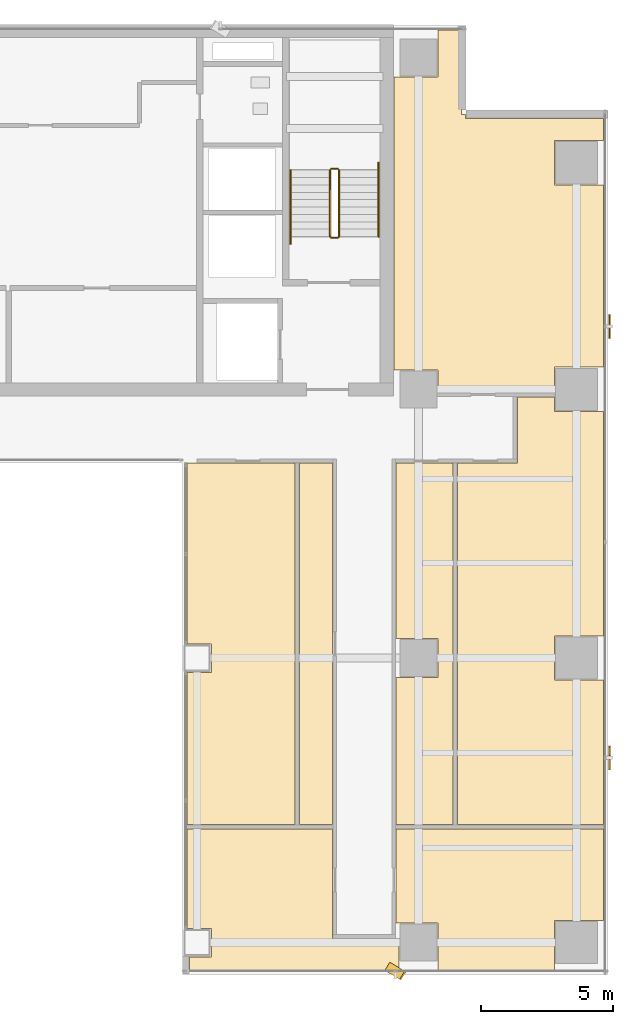
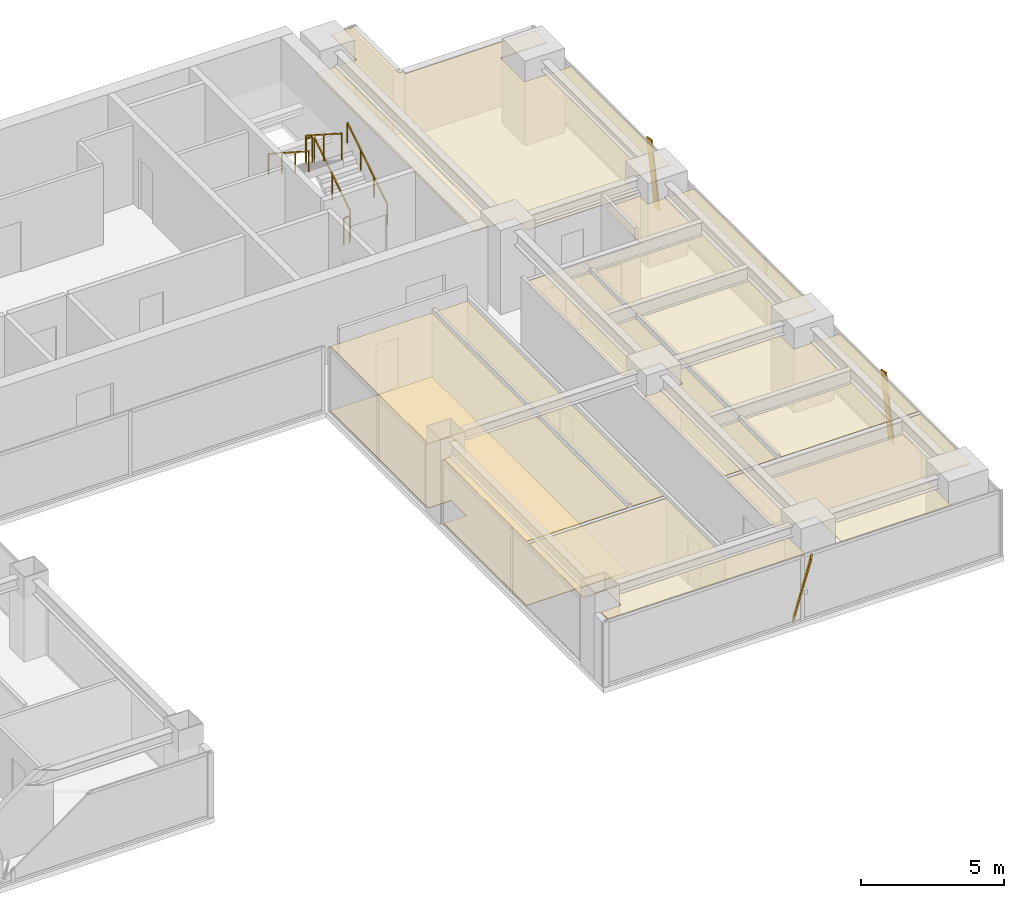
# One storey, part 28 of 30: 8 coverings, 6 railings, 3 shading devices.
"""IFC4 building model written with IfcOpenShell, lengths in metres."""

from ifc_helpers import new_model, si_unit, direction, frame, origin, origin_2d, place, context, subcontext, project, spatial, polyline, rectangle, outline, extrude, source, transform, mapped, material, layer, layer_set, material_profile, profile_set, type_object, element, save


model = new_model("IFC4")

# Units and contexts
model_context = context("Model", 3, precision=1e-05, world=origin(), true_north=direction((0.0, 1.0)))
body_context = subcontext(model_context, "Body", "Model", "MODEL_VIEW")
ifc_project = project(units=[si_unit("LENGTHUNIT", "METRE"), si_unit("AREAUNIT", "SQUARE_METRE"), si_unit("VOLUMEUNIT", "CUBIC_METRE"), si_unit("PLANEANGLEUNIT", "RADIAN"), si_unit("MASSUNIT", "GRAM", prefix="KILO")], contexts=[model_context])

# Site, building, storey
site_placement = place(None, origin())
site = spatial("IfcSite", under=ifc_project, at=site_placement, CompositionType="ELEMENT")
building_placement = place(site_placement, origin())
building = spatial("IfcBuilding", under=site, at=building_placement, Name="Sumidabori Civic Tower", CompositionType="ELEMENT")
storey_placement = place(building_placement, frame((0.0, 0.0, 200.0)))
storey = spatial("IfcBuildingStorey", under=building, at=storey_placement, Name="L51", CompositionType="ELEMENT", Elevation=200.0)

# Coverings
ifc_material_1 = material(Name="Acoustic Mineral Gypsum Ceiling Tile")
ifc_layer_1 = layer(ifc_material_1, 0.034912109375, Name="Acoustic Mineral Gypsum Ceiling Tile")
ifc_layer_set_1 = layer_set([ifc_layer_1], Name="Acoustic Mineral Gypsum Ceiling Tile")
covering_type_1 = type_object("IfcCoveringType", Name="CV-CEIL-AC1", PredefinedType="CEILING", material=ifc_layer_set_1)
covering_1_placement = place(storey_placement, frame((0.0, 0.0, 2.72998046875)))
element("IfcCovering", 1, at=covering_1_placement, inside=storey, type_object=covering_type_1, Name="Room Acoustic Ceiling L51-02", PredefinedType="CEILING", context=body_context, shape_type="SweptSolid", body=[
    extrude(outline(polyline([(20.554931640625, 10.10498046875), (17.5400390625, 10.10498046875), (17.5400390625, 10.93994140625), (15.8779296875, 10.93994140625), (15.8779296875, 22.06005859375), (17.5400390625, 22.06005859375), (17.5400390625, 23.830078125), (18.429931640625, 23.830078125), (18.429931640625, 20.6298828125), (18.592041015625, 20.6298828125), (18.592041015625, 20.471923828125), (23.830078125, 20.471923828125), (23.830078125, 19.639892578125), (21.9599609375, 19.639892578125), (21.9599609375, 17.9599609375), (23.830078125, 17.9599609375), (23.830078125, 11.0400390625), (21.9599609375, 11.0400390625), (21.9599609375, 10.08740234375), (20.554931640625, 10.08740234375), (20.554931640625, 10.10498046875)])), origin(), (0.0, 0.0, 1.0), 0.034912109375),
])
covering_2_placement = place(storey_placement, frame((0.0, 0.0, 2.72998046875)))
element("IfcCovering", 2, at=covering_2_placement, inside=storey, type_object=covering_type_1, Name="Room Acoustic Ceiling L51-04", PredefinedType="CEILING", context=body_context, shape_type="SweptSolid", body=[
    extrude(outline(polyline([(18.28759765625, 7.39501953125), (20.554931640625, 7.39501953125), (20.554931640625, 9.91259765625), (21.9599609375, 9.91259765625), (21.9599609375, 9.360107421875), (23.830078125, 9.360107421875), (23.830078125, 0.840087890625), (21.9599609375, 0.840087890625), (21.9599609375, -0.840087890625), (23.830078125, -0.840087890625), (23.830078125, -6.3125), (18.28759765625, -6.3125), (18.28759765625, 7.39501953125)])), origin(), (0.0, 0.0, 1.0), 0.034912109375),
])
covering_3_placement = place(storey_placement, frame((0.0, 0.0, 2.72998046875)))
element("IfcCovering", 3, at=covering_3_placement, inside=storey, type_object=covering_type_1, Name="Room Acoustic Ceiling L51-07", PredefinedType="CEILING", context=body_context, shape_type="SweptSolid", body=[
    extrude(outline(polyline([(8.02001953125, -6.3125), (8.02001953125, -0.5400390625), (8.93994140625, -0.5400390625), (8.93994140625, 0.5400390625), (8.02001953125, 0.5400390625), (8.02001953125, 7.39501953125), (12.112548828125, 7.39501953125), (12.112548828125, -6.3125), (8.02001953125, -6.3125)])), origin(), (0.0, 0.0, 1.0), 0.034912109375),
])
covering_4_placement = place(storey_placement, frame((0.0, 0.0, 2.72998046875)))
element("IfcCovering", 4, at=covering_4_placement, inside=storey, type_object=covering_type_1, Name="Room Acoustic Ceiling L51-08", PredefinedType="CEILING", context=body_context, shape_type="SweptSolid", body=[
    extrude(outline(polyline([(15.955078125, -0.739990234375), (17.5400390625, -0.739990234375), (17.5400390625, 0.739990234375), (15.955078125, 0.739990234375), (15.955078125, 7.39501953125), (18.112548828125, 7.39501953125), (18.112548828125, -6.3125), (15.955078125, -6.3125), (15.955078125, -0.739990234375)])), origin(), (0.0, 0.0, 1.0), 0.034912109375),
])
covering_5_placement = place(storey_placement, frame((0.0, 0.0, 2.72998046875)))
element("IfcCovering", 5, at=covering_5_placement, inside=storey, type_object=covering_type_1, Name="Room Acoustic Ceiling L51-10", PredefinedType="CEILING", context=body_context, shape_type="SweptSolid", body=[
    extrude(outline(polyline([(12.28759765625, -6.3125), (12.28759765625, 7.39501953125), (13.544921875, 7.39501953125), (13.544921875, -6.3125), (12.28759765625, -6.3125)])), origin(), (0.0, 0.0, 1.0), 0.034912109375),
])
covering_6_placement = place(storey_placement, frame((0.0, 0.0, 2.72998046875)))
element("IfcCovering", 6, at=covering_6_placement, inside=storey, type_object=covering_type_1, Name="Room Acoustic Ceiling L51-12", PredefinedType="CEILING", context=body_context, shape_type="SweptSolid", body=[
    extrude(outline(polyline([(17.5400390625, -10.06005859375), (15.955078125, -10.06005859375), (15.955078125, -6.487548828125), (23.830078125, -6.487548828125), (23.830078125, -9.9599609375), (21.9599609375, -9.9599609375), (21.9599609375, -11.830078125), (17.5400390625, -11.830078125), (17.5400390625, -10.06005859375)])), origin(), (0.0, 0.0, 1.0), 0.034912109375),
])
covering_7_placement = place(storey_placement, frame((0.0, 0.0, 2.72998046875)))
element("IfcCovering", 7, at=covering_7_placement, inside=storey, type_object=covering_type_1, Name="Room Acoustic Ceiling L51-14", PredefinedType="CEILING", context=body_context, shape_type="SweptSolid", body=[
    extrude(outline(polyline([(8.93994140625, -11.340087890625), (8.93994140625, -10.260009765625), (8.02001953125, -10.260009765625), (8.02001953125, -6.487548828125), (13.544921875, -6.487548828125), (13.544921875, -10.655029296875), (16.06005859375, -10.655029296875), (16.06005859375, -11.830078125), (8.117919921875, -11.830078125), (8.117919921875, -11.340087890625), (8.93994140625, -11.340087890625)])), origin(), (0.0, 0.0, 1.0), 0.034912109375),
])
ifc_material_2 = material(Name="Honed Terrazzo Tile Flooring")
ifc_layer_2 = layer(ifc_material_2, 0.030029296875, Name="Honed Terrazzo Tile Flooring")
ifc_layer_set_2 = layer_set([ifc_layer_2], Name="Honed Terrazzo Tile Flooring")
covering_type_2 = type_object("IfcCoveringType", Name="CV-FLR-TER", PredefinedType="FLOORING", material=ifc_layer_set_2)
covering_8_placement = place(storey_placement, origin())
element("IfcCovering", 8, at=covering_8_placement, inside=storey, type_object=covering_type_2, Name="Room Terrazzo Floor L51-07", PredefinedType="FLOORING", context=body_context, shape_type="SweptSolid", body=[
    extrude(outline(polyline([(8.02001953125, -6.3125), (8.02001953125, -0.5400390625), (8.93994140625, -0.5400390625), (8.93994140625, 0.5400390625), (8.02001953125, 0.5400390625), (8.02001953125, 7.39501953125), (12.112548828125, 7.39501953125), (12.112548828125, -6.3125), (8.02001953125, -6.3125)])), origin(), (0.0, 0.0, 1.0), 0.030029296875),
])

# Railings
ifc_material_3 = material(Name="Stainless Steel Hairline Finish", Category="steel")
railing_type_1 = type_object("IfcRailingType", Name="RL-HANDRAIL", PredefinedType="HANDRAIL", material=ifc_material_3)
railing_1_placement = place(storey_placement, frame((15.2900390625, 16.0, 0.179931640625)))
element("IfcRailing", 9, at=railing_1_placement, inside=storey, type_object=railing_type_1, Name="L51 ST-2 stair handrail 1", PredefinedType="HANDRAIL", context=body_context, shape_type="SweptSolid", body=[
    extrude(rectangle(XDim=0.048095703125, YDim=0.048095703125, at=origin_2d()), frame((0.0, 0.0, 0.8759765625), z_axis=(0.0, 0.84064222762, 0.54159084662), x_axis=(-1.0, 0.0, 0.0)), (0.0, 0.0, 1.0), 3.330810546875),
    extrude(rectangle(XDim=0.0419921875, YDim=0.0419921875, at=origin_2d()), origin(), (0.0, 0.0, 1.0), 0.851806640625),
    extrude(rectangle(XDim=0.0419921875, YDim=0.0419921875, at=origin_2d()), frame((0.0, 0.933349609375, 0.601318359375)), (0.0, 0.0, 1.0), 0.851806640625),
    extrude(rectangle(XDim=0.0419921875, YDim=0.0419921875, at=origin_2d()), frame((0.0, 1.86669921875, 1.20263671875)), (0.0, 0.0, 1.0), 0.851806640625),
    extrude(rectangle(XDim=0.0419921875, YDim=0.0419921875, at=origin_2d()), frame((0.0, 2.800048828125, 1.803955078125)), (0.0, 0.0, 1.0), 0.851806640625),
])
railing_2_placement = place(storey_placement, frame((11.949951171875, 18.52001953125, 1.97998046875)))
element("IfcRailing", 10, at=railing_2_placement, inside=storey, type_object=railing_type_1, Name="L51 ST-2 stair handrail 2", PredefinedType="HANDRAIL", context=body_context, shape_type="SweptSolid", body=[
    extrude(rectangle(XDim=0.048095703125, YDim=0.048095703125, at=origin_2d()), frame((0.0, 0.0, 0.8759765625), z_axis=(0.0, -0.840675598268, 0.541539046124), x_axis=(1.0, 0.0, 0.0)), (0.0, 0.0, 1.0), 3.330810546875),
    extrude(rectangle(XDim=0.0419921875, YDim=0.0419921875, at=origin_2d()), origin(), (0.0, 0.0, 1.0), 0.851806640625),
    extrude(rectangle(XDim=0.0419921875, YDim=0.0419921875, at=origin_2d()), frame((0.0, -0.933349609375, 0.601318359375)), (0.0, 0.0, 1.0), 0.851806640625),
    extrude(rectangle(XDim=0.0419921875, YDim=0.0419921875, at=origin_2d()), frame((0.0, -1.86669921875, 1.202392578125)), (0.0, 0.0, 1.0), 0.851806640625),
    extrude(rectangle(XDim=0.0419921875, YDim=0.0419921875, at=origin_2d()), frame((0.0, -2.800048828125, 1.8037109375)), (0.0, 0.0, 1.0), 0.851806640625),
])
ifc_material_4 = material(Name="Steel SN490", Category="steel")
railing_type_2 = type_object("IfcRailingType", Name="RL-STAIR-GUARD", PredefinedType="GUARDRAIL", material=ifc_material_4)
railing_3_placement = place(storey_placement, frame((13.7900390625, 16.0, 0.179931640625)))
element("IfcRailing", 11, at=railing_3_placement, inside=storey, type_object=railing_type_2, Name="L51 ST-2 stair guard 1", PredefinedType="GUARDRAIL", context=body_context, shape_type="SweptSolid", body=[
    extrude(rectangle(XDim=0.048095703125, YDim=0.048095703125, at=origin_2d()), frame((0.0, 0.0, 1.1259765625), z_axis=(0.0, 0.841162588446, 0.540782303519), x_axis=(-1.0, 0.0, 0.0)), (0.0, 0.0, 1.0), 2.995849609375),
    extrude(rectangle(XDim=0.0419921875, YDim=0.0419921875, at=origin_2d()), origin(), (0.0, 0.0, 1.0), 1.101806640625),
    extrude(rectangle(XDim=0.0419921875, YDim=0.0419921875, at=origin_2d()), frame((0.0, 1.260009765625, 0.81005859375)), (0.0, 0.0, 1.0), 1.101806640625),
    extrude(rectangle(XDim=0.0419921875, YDim=0.0419921875, at=origin_2d()), frame((0.0, 2.52001953125, 1.6201171875)), (0.0, 0.0, 1.0), 1.101806640625),
])
railing_4_placement = place(storey_placement, frame((13.739990234375, 18.570068359375, 1.800048828125)))
element("IfcRailing", 12, at=railing_4_placement, inside=storey, type_object=railing_type_2, Name="L51 ST-2 stair guard 2", PredefinedType="GUARDRAIL", context=body_context, shape_type="SweptSolid", body=[
    extrude(rectangle(XDim=0.048095703125, YDim=0.048095703125, at=origin_2d()), frame((0.0, 0.0, 1.1259765625), z_axis=(-1.0, 0.0, 0.0), x_axis=(0.0, -1.0, 0.0)), (0.0, 0.0, 1.0), 0.239990234375),
    extrude(rectangle(XDim=0.0419921875, YDim=0.0419921875, at=origin_2d()), origin(), (0.0, 0.0, 1.0), 1.101806640625),
    extrude(rectangle(XDim=0.0419921875, YDim=0.0419921875, at=origin_2d()), frame((-0.239990234375, 0.0, 0.0)), (0.0, 0.0, 1.0), 1.101806640625),
])
railing_5_placement = place(storey_placement, frame((13.449951171875, 18.52001953125, 1.97998046875)))
element("IfcRailing", 13, at=railing_5_placement, inside=storey, type_object=railing_type_2, Name="L51 ST-2 stair guard 3", PredefinedType="GUARDRAIL", context=body_context, shape_type="SweptSolid", body=[
    extrude(rectangle(XDim=0.048095703125, YDim=0.048095703125, at=origin_2d()), frame((0.0, 0.0, 1.1259765625), z_axis=(0.0, -0.841162588446, 0.540782303519), x_axis=(1.0, 0.0, 0.0)), (0.0, 0.0, 1.0), 2.995849609375),
    extrude(rectangle(XDim=0.0419921875, YDim=0.0419921875, at=origin_2d()), origin(), (0.0, 0.0, 1.0), 1.101806640625),
    extrude(rectangle(XDim=0.0419921875, YDim=0.0419921875, at=origin_2d()), frame((0.0, -1.260009765625, 0.81005859375)), (0.0, 0.0, 1.0), 1.101806640625),
    extrude(rectangle(XDim=0.0419921875, YDim=0.0419921875, at=origin_2d()), frame((0.0, -2.52001953125, 1.6201171875)), (0.0, 0.0, 1.0), 1.101806640625),
])
railing_6_placement = place(storey_placement, frame((13.739990234375, 15.949951171875, 0.0)))
element("IfcRailing", 14, at=railing_6_placement, inside=storey, type_object=railing_type_2, Name="L51 ST-2 stair guard 4", PredefinedType="GUARDRAIL", context=body_context, shape_type="SweptSolid", body=[
    extrude(rectangle(XDim=0.048095703125, YDim=0.048095703125, at=origin_2d()), frame((0.0, 0.0, 1.1259765625), z_axis=(-1.0, 0.0, 0.0), x_axis=(0.0, -1.0, 0.0)), (0.0, 0.0, 1.0), 0.239990234375),
    extrude(rectangle(XDim=0.0419921875, YDim=0.0419921875, at=origin_2d()), origin(), (0.0, 0.0, 1.0), 1.101806640625),
    extrude(rectangle(XDim=0.0419921875, YDim=0.0419921875, at=origin_2d()), frame((-0.239990234375, 0.0, 0.0)), (0.0, 0.0, 1.0), 1.101806640625),
])

# Shading devices
ifc_material_5 = material(Name="Anodised Bronze Aluminium AW-6063-T6", Category="aluminium")
ifc_material_profile = material_profile(ifc_material_5, rectangle(XDim=0.054931640625, YDim=0.360107421875, at=origin_2d()), Name="BRONZE FIN 360x55")
ifc_profile_set = profile_set([ifc_material_profile], Name="Anodised Bronze Aluminium AW-6063-T6")
shading_device_type = type_object("IfcShadingDeviceType", Name="SH-FIN-360", PredefinedType="USERDEFINED", material=ifc_profile_set)
shared_shape_1 = source(origin(), body_context, "Body", "SweptSolid", [
    extrude(rectangle(XDim=0.054931640625, YDim=0.360107421875, at=origin_2d()), origin(), (0.0, 0.0, 1.0), 2.7783203125),
])
shading_device_placement = place(storey_placement, frame((15.64501953125, -11.7099609375, 0.02001953125), z_axis=(0.201581748781, -0.122407748933, 0.971792746196), x_axis=(0.830641884105, -0.504395878186, -0.235836507862)))
element("IfcShadingDevice", 15, at=shading_device_placement, inside=storey, type_object=shading_device_type, Name="Bronze Anodised Diagonal Fin L51-01", ObjectType="FIN", PredefinedType="USERDEFINED", context=body_context, shape_type="MappedRepresentation", body=[
    mapped(shared_shape_1, transform((0.0, 0.0, 0.0), x_axis=(1.0, 0.0, 0.0), y_axis=(0.0, 1.0, 0.0), z_axis=(0.0, 0.0, 1.0), scale=1.0)),
])
shared_shape_2 = source(origin(), body_context, "Body", "SweptSolid", [
    extrude(rectangle(XDim=0.054931640625, YDim=0.360107421875, at=origin_2d()), origin(), (0.0, 0.0, 1.0), 2.75732421875),
])
for number, where, z_axis, x_axis, name in (
    (16, (24.050048828125, -4.06494140625, 0.02001953125), (0.0, 0.203109150817, 0.979156102393), (-1.0, 0.0, 0.0), "Bronze Anodised Diagonal Fin L51-01"),
    (17, (24.050048828125, 12.304931640625, 0.02001953125), (0.0, 0.203109150817, 0.979156102393), (-1.0, 0.0, 0.0), "Bronze Anodised Diagonal Fin L51-03"),
):
    element("IfcShadingDevice", number, at=place(storey_placement, frame(where, z_axis=z_axis, x_axis=x_axis)), inside=storey, type_object=shading_device_type, Name=name, ObjectType="FIN", PredefinedType="USERDEFINED", context=body_context, shape_type="MappedRepresentation", body=[
        mapped(shared_shape_2, transform((0.0, 0.0, 0.0), x_axis=(1.0, 0.0, 0.0), y_axis=(0.0, 1.0, 0.0), z_axis=(0.0, 0.0, 1.0), scale=1.0)),
    ])

save(model, "model.ifc")
